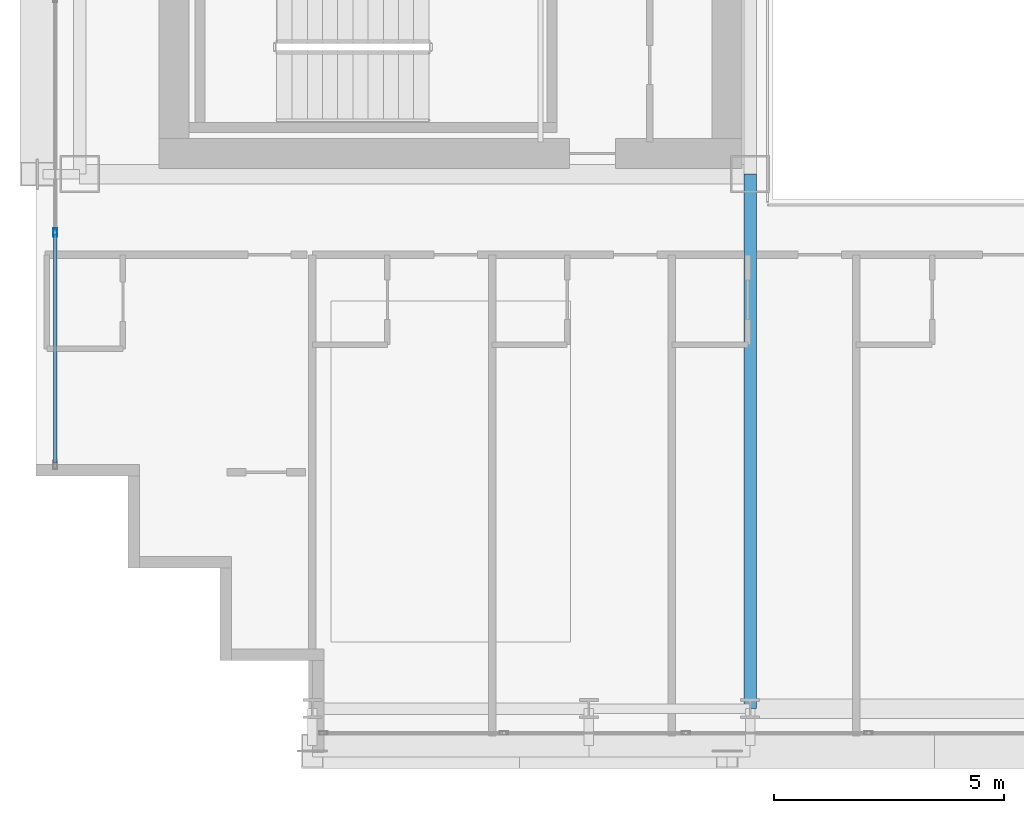
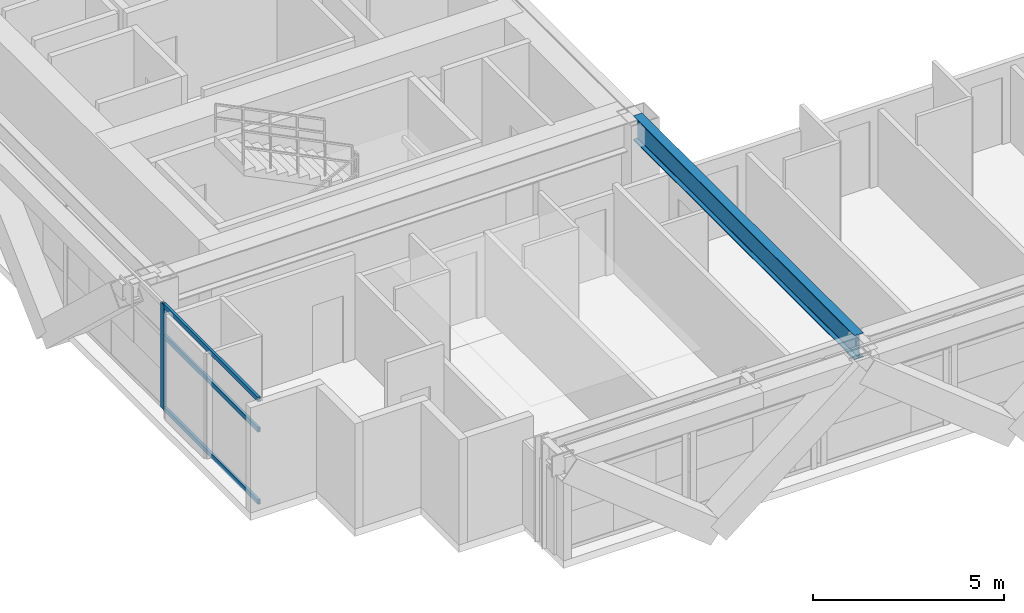
# One storey, part 3 of 36: 4 members, 1 beam, 1 element without a shape of its own.
"""IFC4 building model written with IfcOpenShell, lengths in metres."""

from ifc_helpers import new_model, si_unit, direction, frame, origin, origin_2d, place, context, subcontext, project, spatial, hollow_rectangle, i_section, extrude, source, transform, mapped, material, layer, layer_set, material_profile, profile_set, type_object, element, aggregate, save


model = new_model("IFC4")

# Units and contexts
model_context = context("Model", 3, precision=1e-05, world=origin(), true_north=direction((0.0, 1.0)))
body_context = subcontext(model_context, "Body", "Model", "MODEL_VIEW")
ifc_project = project(units=[si_unit("LENGTHUNIT", "METRE"), si_unit("AREAUNIT", "SQUARE_METRE"), si_unit("VOLUMEUNIT", "CUBIC_METRE"), si_unit("PLANEANGLEUNIT", "RADIAN"), si_unit("MASSUNIT", "GRAM", prefix="KILO")], contexts=[model_context])

# Site, building, storey
site_placement = place(None, origin())
site = spatial("IfcSite", under=ifc_project, at=site_placement, CompositionType="ELEMENT")
building_placement = place(site_placement, origin())
building = spatial("IfcBuilding", under=site, at=building_placement, Name="Ocotamira Hotel", CompositionType="ELEMENT")
storey_placement = place(building_placement, frame((0.0, 0.0, 136.800048828125)))
storey = spatial("IfcBuildingStorey", under=building, at=storey_placement, Name="L34", CompositionType="ELEMENT", Elevation=136.800048828125)

# Beam
ifc_material_1 = material(Name="Steel ASTM A992 Grade 50", Category="steel")
ifc_material_profile_1 = material_profile(ifc_material_1, i_section(OverallWidth=0.26611328125, OverallDepth=0.779052734375, WebThickness=0.0166015625, FlangeThickness=0.030029296875, FilletRadius=0.01806640625, at=origin_2d()), Name="W30X148")
ifc_profile_set_1 = profile_set([ifc_material_profile_1], Name="Steel ASTM A992 Grade 50")
beam_type = type_object("IfcBeamType", Name="BM-GIRD-W30X148", PredefinedType="BEAM", material=ifc_profile_set_1)
shared_shape_1 = source(origin(), body_context, "Body", "SweptSolid", [
    extrude(i_section(OverallWidth=0.26611328125, OverallDepth=0.779052734375, WebThickness=0.0166015625, FlangeThickness=0.030029296875, FilletRadius=0.01806640625, at=origin_2d()), origin(), (0.0, 0.0, 1.0), 11.60009765625),
])
beam_placement = place(storey_placement, frame((23.5, 2.949951171875, 2.970458984375), z_axis=(0.0, 1.0, 0.0), x_axis=(-1.0, 0.0, 0.0)))
element("IfcBeam", 1, at=beam_placement, inside=storey, type_object=beam_type, Name="L34 Beam X23.5 Y2.95-14.55", PredefinedType="BEAM", context=body_context, shape_type="MappedRepresentation", body=[
    mapped(shared_shape_1, transform((0.0, 0.0, 0.0), scale=1.0)),
])

# Curtain wall, members
ifc_material_2 = material(Name="Anodised pale-metal aluminium and solar glass", Category="aluminium")
ifc_layer = layer(ifc_material_2, 0.179931640625)
ifc_layer_set = layer_set([ifc_layer], Name="Anodised pale-metal aluminium and solar glass")
curtain_wall_type = type_object("IfcCurtainWallType", Name="CW-SYS3-Z2", PredefinedType="NOTDEFINED", material=ifc_layer_set)
curtain_wall_placement = place(storey_placement, origin())
curtain_wall = element("IfcCurtainWall", 2, at=curtain_wall_placement, inside=storey, type_object=curtain_wall_type, Name="L34 Curtain Wall CW-3 CW-L34-W", PredefinedType="NOTDEFINED")
ifc_material_3 = material(Name="Anodised pale-metal aluminium 6063-T6", Category="aluminium")
ifc_material_profile_2 = material_profile(ifc_material_3, hollow_rectangle(XDim=0.074951171875, YDim=0.14990234375, WallThickness=0.006103515625, at=origin_2d()), Name="HSS150X75X6")
ifc_profile_set_2 = profile_set([ifc_material_profile_2], Name="Anodised pale-metal aluminium 6063-T6")
member_type_1 = type_object("IfcMemberType", Name="CWT-150X75", PredefinedType="USERDEFINED", material=ifc_profile_set_2)
shared_shape_2 = source(origin(), body_context, "Body", "SweptSolid", [
    extrude(hollow_rectangle(XDim=0.074951171875, YDim=0.14990234375, WallThickness=0.006103515625, at=origin_2d()), origin(), (0.0, 0.0, 1.0), 4.965576171875),
])
member_1_placement = place(storey_placement, frame((8.419921875, 8.280029296875, 0.037353515625), z_axis=(0.0, 1.0, 0.0), x_axis=(-1.0, 0.0, 0.0)))
member_1 = element("IfcMember", 3, at=member_1_placement, type_object=member_type_1, Name="CW-3 transom 1.1", ObjectType="TRANSOM", PredefinedType="USERDEFINED", context=body_context, shape_type="MappedRepresentation", body=[
    mapped(shared_shape_2, transform((0.0, 0.0, 0.0), scale=1.0)),
])
member_2_placement = place(storey_placement, frame((8.419921875, 8.280029296875, 2.349853515625), z_axis=(0.0, 1.0, 0.0), x_axis=(-1.0, 0.0, 0.0)))
member_2 = element("IfcMember", 4, at=member_2_placement, type_object=member_type_1, Name="CW-3 transom 1.2", ObjectType="TRANSOM", PredefinedType="USERDEFINED", context=body_context, shape_type="MappedRepresentation", body=[
    mapped(shared_shape_2, transform((0.0, 0.0, 0.0), scale=1.0)),
])
member_3_placement = place(storey_placement, frame((8.419921875, 8.280029296875, 3.322509765625), z_axis=(0.0, 1.0, 0.0), x_axis=(-1.0, 0.0, 0.0)))
member_3 = element("IfcMember", 5, at=member_3_placement, type_object=member_type_1, Name="CW-3 transom 1.3", ObjectType="TRANSOM", PredefinedType="USERDEFINED", context=body_context, shape_type="MappedRepresentation", body=[
    mapped(shared_shape_2, transform((0.0, 0.0, 0.0), scale=1.0)),
])
ifc_material_profile_3 = material_profile(ifc_material_3, hollow_rectangle(XDim=0.080078125, YDim=0.179931640625, WallThickness=0.006103515625, at=origin_2d()), Name="HSS180X80X6")
ifc_profile_set_3 = profile_set([ifc_material_profile_3], Name="Anodised pale-metal aluminium 6063-T6")
member_type_2 = type_object("IfcMemberType", Name="CWM-180X75", PredefinedType="MULLION", material=ifc_profile_set_3)
shared_shape_3 = source(origin(), body_context, "Body", "SweptSolid", [
    extrude(hollow_rectangle(XDim=0.080078125, YDim=0.179931640625, WallThickness=0.006103515625, at=origin_2d()), origin(), (0.0, 0.0, 1.0), 3.35986328125),
])
member_4_placement = place(storey_placement, frame((8.419921875, 13.28564453125, 0.0), z_axis=(0.0, 0.0, 1.0), x_axis=(-1.0, 0.0, 0.0)))
member_4 = element("IfcMember", 6, at=member_4_placement, type_object=member_type_2, Name="CW-3 mullion 2", PredefinedType="MULLION", context=body_context, shape_type="MappedRepresentation", body=[
    mapped(shared_shape_3, transform((0.0, 0.0, 0.0), scale=1.0)),
])
aggregate(curtain_wall, [member_4, member_1, member_2, member_3])

save(model, "model.ifc")
